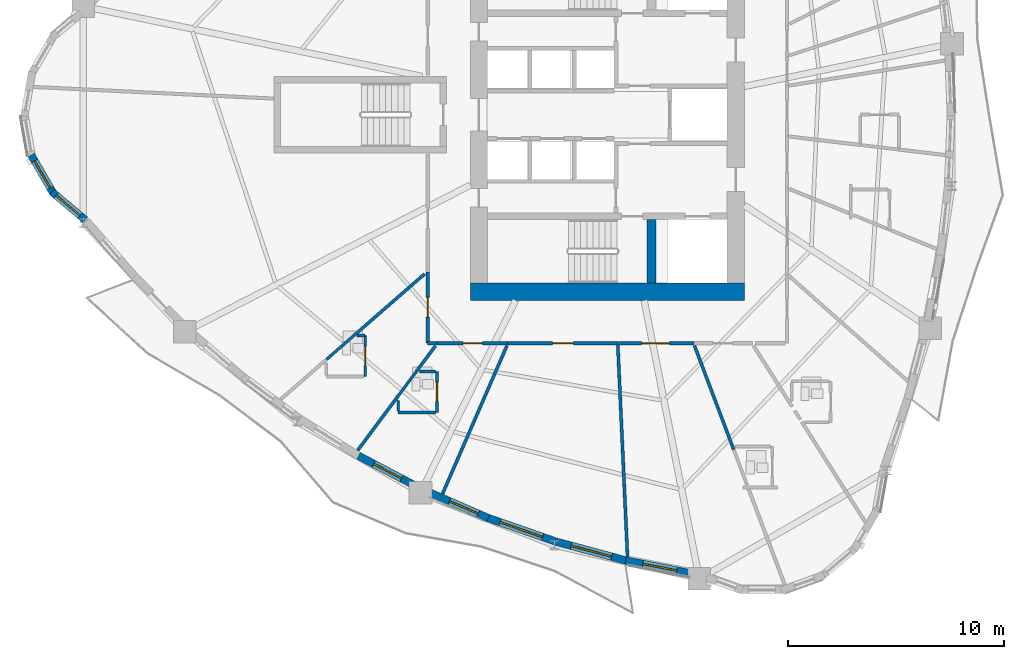
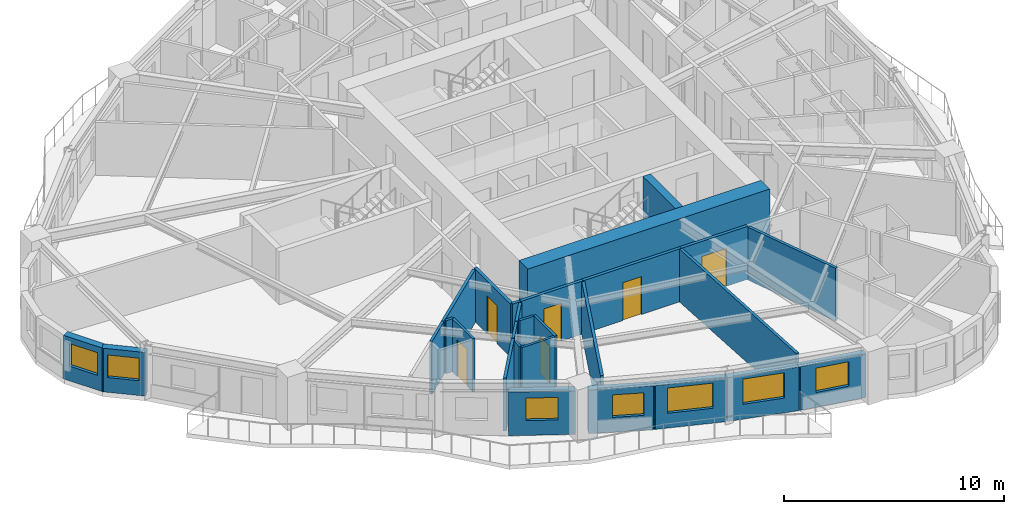
# One storey, part 3 of 14: 28 walls, 7 windows, 6 doors, 13 openings.
"""IFC4 building model written with IfcOpenShell, lengths in metres."""

import ifcopenshell
import ifcopenshell.guid

model = None  # the IFC model being written
_history = None  # IfcOwnerHistory: only IFC2X3 demands one
_inside = {}  # id of a spatial element -> (the spatial element, [elements in it])
_under = {}  # id of a project, library or spatial element -> (it, [spatial elements below it])
_declared = {}  # id of a project -> (the project, [libraries it declares])
_typed = {}  # id of a type object -> (the type object, [elements of that type])
_made_of = {}  # id of a material, layer set ... -> (it, [elements and type objects made of it])


def new_model(schema):
    """Start an empty IFC model of exactly this schema.

    Asked for "IFC4X3", IfcOpenShell would pick the latest addendum, in which some entities
    have other attributes; the version numbers below select the first issue.
    IFC2X3 requires an IfcOwnerHistory on every rooted entity: one is made here for all.
    """
    global model, _history
    if schema == "IFC4X3":
        model = ifcopenshell.file(schema_version=(4, 3, 0, 0))
    else:
        model = ifcopenshell.file(schema=schema)
    _inside.clear()
    _under.clear()
    _declared.clear()
    _typed.clear()
    _made_of.clear()
    _history = None
    if model.schema == "IFC2X3":
        org = make("IfcOrganization", Name="unknown")
        user = make(
            "IfcPersonAndOrganization",
            ThePerson=make("IfcPerson", FamilyName="unknown"),
            TheOrganization=org,
        )
        app = make(
            "IfcApplication",
            ApplicationDeveloper=org,
            Version="unknown",
            ApplicationFullName="unknown",
            ApplicationIdentifier="unknown",
        )
        _history = make(
            "IfcOwnerHistory",
            OwningUser=user,
            OwningApplication=app,
            ChangeAction="ADDED",
            CreationDate=0,
        )
    return model


def make(cls, **values):
    """One entity of the class cls with the attributes given. An attribute that is None is left unset."""
    return model.create_entity(
        cls, **{name: value for name, value in values.items() if value is not None}
    )


def rooted(cls, **values):
    """An entity with a GlobalId (a new one), such as an element, a storey or a relation."""
    return make(cls, GlobalId=ifcopenshell.guid.new(), OwnerHistory=_history, **values)


def si_unit(unit_type, name, prefix=None):
    """IfcSIUnit, for example si_unit("LENGTHUNIT", "METRE", prefix="MILLI")."""
    return make("IfcSIUnit", UnitType=unit_type, Prefix=prefix, Name=name)


def assignment(units):
    """IfcUnitAssignment: the units of a project."""
    return None if units is None else make("IfcUnitAssignment", Units=units)


def point(xyz):
    """IfcCartesianPoint."""
    return None if xyz is None else make("IfcCartesianPoint", Coordinates=xyz)


def direction(xyz):
    """IfcDirection."""
    return None if xyz is None else make("IfcDirection", DirectionRatios=xyz)


def frame(location, z_axis=None, x_axis=None):
    """IfcAxis2Placement3D, a coordinate frame: its origin and axes. An axis left out is left unset."""
    return make(
        "IfcAxis2Placement3D",
        Location=point(location),
        Axis=direction(z_axis),
        RefDirection=direction(x_axis),
    )


def frame_2d(location, x_axis=None):
    """IfcAxis2Placement2D, a coordinate frame in the plane: its origin and x axis."""
    return make(
        "IfcAxis2Placement2D", Location=point(location), RefDirection=direction(x_axis)
    )


def origin():
    """The frame at (0, 0, 0) with its axes left unset."""
    return frame((0.0, 0.0, 0.0))


def place(relative_to, where):
    """IfcLocalPlacement: puts the frame where relative to a parent placement (None: the world)."""
    return make(
        "IfcLocalPlacement", PlacementRelTo=relative_to, RelativePlacement=where
    )


def context(
    kind, dimensions, precision=None, world=None, true_north=None, identifier=None
):
    """IfcGeometricRepresentationContext, for example the 3D "Model" context."""
    return make(
        "IfcGeometricRepresentationContext",
        ContextIdentifier=identifier,
        ContextType=kind,
        CoordinateSpaceDimension=dimensions,
        Precision=precision,
        WorldCoordinateSystem=world,
        TrueNorth=true_north,
    )


def subcontext(parent, identifier, kind, view, scale=None):
    """IfcGeometricRepresentationSubContext, for example "Body" below "Model"."""
    return make(
        "IfcGeometricRepresentationSubContext",
        ContextIdentifier=identifier,
        ContextType=kind,
        ParentContext=parent,
        TargetScale=scale,
        TargetView=view,
    )


def project(units=None, contexts=None):
    """IfcProject with its units and contexts."""
    return rooted(
        "IfcProject",
        Name="project",
        RepresentationContexts=contexts,
        UnitsInContext=assignment(units),
    )


def spatial(cls, under=None, at=None, **own):
    """A site, building, storey or space (cls), placed at a placement, below another one or the project."""
    s = rooted(cls, ObjectPlacement=at, **own)
    if under is not None:
        _under.setdefault(under.id(), (under, []))[1].append(s)
    return s


def profile(cls, at=None, kind="AREA", **sizes):
    """A parametric profile (cls). Its sizes go by their IFC names, for example OverallWidth=200.0."""
    return make(cls, ProfileType=kind, Position=at, **sizes)


def rectangle(**sizes):
    """IfcRectangleProfileDef."""
    return profile("IfcRectangleProfileDef", **sizes)


def extrude(swept, where, along, depth):
    """IfcExtrudedAreaSolid: the profile swept, set in the frame where, extruded along a direction by depth."""
    return make(
        "IfcExtrudedAreaSolid",
        SweptArea=swept,
        Position=where,
        ExtrudedDirection=direction(along),
        Depth=depth,
    )


def shape(context_of_items, identifier, shape_type, items):
    """IfcShapeRepresentation: the items that make up one representation, for example the "Body"."""
    return make(
        "IfcShapeRepresentation",
        ContextOfItems=context_of_items,
        RepresentationIdentifier=identifier,
        RepresentationType=shape_type,
        Items=items,
    )


def source(mapping_origin, context_of_items, identifier, shape_type, items):
    """IfcRepresentationMap: a shape defined once, which mapped items show again and again."""
    return make(
        "IfcRepresentationMap",
        MappingOrigin=mapping_origin,
        MappedRepresentation=shape(context_of_items, identifier, shape_type, items),
    )


def transform(
    local_origin,
    x_axis=None,
    y_axis=None,
    z_axis=None,
    scale=None,
    scale2=None,
    scale3=None,
    uniform=True,
):
    """IfcCartesianTransformationOperator3D, or its non-uniform kind. x_axis, y_axis, z_axis: its Axis1, 2, 3."""
    if uniform:
        return make(
            "IfcCartesianTransformationOperator3D",
            Axis1=direction(x_axis),
            Axis2=direction(y_axis),
            LocalOrigin=point(local_origin),
            Scale=scale,
            Axis3=direction(z_axis),
        )
    return make(
        "IfcCartesianTransformationOperator3DnonUniform",
        Axis1=direction(x_axis),
        Axis2=direction(y_axis),
        LocalOrigin=point(local_origin),
        Scale=scale,
        Axis3=direction(z_axis),
        Scale2=scale2,
        Scale3=scale3,
    )


def mapped(mapping_source, mapping_target):
    """IfcMappedItem: shows the shape of a source again, moved by a transform."""
    return make(
        "IfcMappedItem", MappingSource=mapping_source, MappingTarget=mapping_target
    )


def material(Name=None, Category=None):
    """IfcMaterial."""
    return make("IfcMaterial", Name=Name, Category=Category)


def layer(
    of_material, thickness, ventilated=None, Name=None, Category=None, Priority=None
):
    """IfcMaterialLayer: one layer of a wall or slab, of a material (None: an air gap)."""
    return make(
        "IfcMaterialLayer",
        Material=of_material,
        LayerThickness=thickness,
        IsVentilated=ventilated,
        Name=Name,
        Category=Category,
        Priority=Priority,
    )


def layer_set(layers, Name=None):
    """IfcMaterialLayerSet."""
    return make("IfcMaterialLayerSet", MaterialLayers=layers, LayerSetName=Name)


def made_of(thing, what):
    """Note that an element or type object is made of a material, layer set ...; save() writes the relation."""
    if what is not None:
        _made_of.setdefault(what.id(), (what, []))[1].append(thing)
    return thing


def type_object(cls, material=None, **own):
    """A type object (cls), such as IfcWallType, which elements share."""
    return made_of(rooted(cls, **own), material)


def element(
    cls,
    number,
    at=None,
    inside=None,
    cuts=None,
    type_object=None,
    material=None,
    context=None,
    identifier="Body",
    shape_type=None,
    held_by="IfcProductDefinitionShape",
    body=None,
    shapes=None,
    **own,
):
    """One element of the class cls, such as IfcWall. Its Tag is "e" and its number.

    at: its placement. inside: the storey or other place that contains it. cuts: it is an
    opening in that element (IfcRelVoidsElement). A single representation is given by context,
    identifier, shape_type and body (its items); several are given by shapes. held_by: the class
    of the entity that holds the representations. save() writes the other relations.
    """
    e = rooted(cls, Tag="e%d" % number, ObjectPlacement=at, **own)
    if body is not None:
        shapes = [shape(context, identifier, shape_type, body)]
    if shapes is not None:
        e.Representation = make(held_by, Representations=shapes)
    if inside is not None:
        _inside.setdefault(inside.id(), (inside, []))[1].append(e)
    if cuts is not None:
        rooted(
            "IfcRelVoidsElement", RelatingBuildingElement=cuts, RelatedOpeningElement=e
        )
    if type_object is not None:
        _typed.setdefault(type_object.id(), (type_object, []))[1].append(e)
    return made_of(e, material)


def fill(opening, filler):
    """IfcRelFillsElement: the door or window that sits in an opening."""
    return rooted(
        "IfcRelFillsElement",
        RelatingOpeningElement=opening,
        RelatedBuildingElement=filler,
    )


def aggregate(whole, parts):
    """IfcRelAggregates: a whole, such as a stair, and the parts it consists of."""
    return rooted("IfcRelAggregates", RelatingObject=whole, RelatedObjects=parts)


def save(model, path):
    """Write the relations noted so far, then the file.

    IfcRelAggregates (storeys below a building ...), IfcRelContainedInSpatialStructure (elements
    in a storey), IfcRelDefinesByType, IfcRelAssociatesMaterial and IfcRelDeclares: one each for
    every whole, place, type object, material and project.
    """
    for whole, parts in _under.values():
        aggregate(whole, parts)
    for where, things in _inside.values():
        rooted(
            "IfcRelContainedInSpatialStructure",
            RelatedElements=things,
            RelatingStructure=where,
        )
    for kind, things in _typed.values():
        rooted("IfcRelDefinesByType", RelatedObjects=things, RelatingType=kind)
    for what, things in _made_of.values():
        rooted("IfcRelAssociatesMaterial", RelatedObjects=things, RelatingMaterial=what)
    for by, libraries in _declared.values():
        rooted("IfcRelDeclares", RelatingContext=by, RelatedDefinitions=libraries)
    model.write(path)


model = new_model("IFC4")

# Units and contexts
model_context = context("Model", 3, precision=1e-05, world=origin(), true_north=direction((0.0, 1.0)))
body_context = subcontext(model_context, "Body", "Model", "MODEL_VIEW")
ifc_project = project(units=[si_unit("LENGTHUNIT", "METRE"), si_unit("AREAUNIT", "SQUARE_METRE"), si_unit("VOLUMEUNIT", "CUBIC_METRE"), si_unit("PLANEANGLEUNIT", "RADIAN"), si_unit("MASSUNIT", "GRAM", prefix="KILO")], contexts=[model_context])

# Site, building, storey
site_placement = place(None, origin())
site = spatial("IfcSite", under=ifc_project, at=site_placement, CompositionType="ELEMENT")
building_placement = place(site_placement, origin())
building = spatial("IfcBuilding", under=site, at=building_placement, Name="Qafzar Sky-Pleat Residences", CompositionType="ELEMENT")
storey_placement = place(building_placement, frame((0.0, 0.0, 39.800048828125)))
storey = spatial("IfcBuildingStorey", under=building, at=storey_placement, Name="L11", CompositionType="ELEMENT", Elevation=39.800048828125)

# Wall, opening, door
ifc_material_1 = material(Name="Acoustic gypsum plasterboard partition", Category="gypsum")
ifc_layer_1 = layer(ifc_material_1, 0.159912109375)
ifc_layer_set_1 = layer_set([ifc_layer_1], Name="Acoustic gypsum plasterboard partition")
wall_type_1 = type_object("IfcWallType", Name="PART-COR-160", PredefinedType="PARTITIONING", material=ifc_layer_set_1)
wall_1_placement = place(storey_placement, frame((30.84912109375, 15.419921875, 0.0), z_axis=(0.0, 0.0, 1.0), x_axis=(-1.0, 0.0, 0.0)))
wall_1 = element("IfcWall", 1, at=wall_1_placement, inside=storey, type_object=wall_type_1, Name="L11 Partition Wall PART-L11-PW-002", PredefinedType="PARTITIONING", context=body_context, shape_type="SweptSolid", body=[
    extrude(rectangle(XDim=5.114013671875, YDim=0.159912109375, at=frame_2d((2.55712890625, 0.0))), origin(), (0.0, 0.0, 1.0), 2.93994140625),
])
opening_1_placement = place(wall_1_placement, frame((2.075927734375, 0.0, 0.0)))
opening_1 = element("IfcOpeningElement", 2, at=opening_1_placement, cuts=wall_1, Name="Opening ID-06", PredefinedType="OPENING", context=body_context, shape_type="SweptSolid", body=[
    extrude(rectangle(XDim=0.9599609375, YDim=2.10009765625, at=frame_2d((0.47998046875, 1.050048828125))), frame((0.0, 0.08984375, 0.0), z_axis=(0.0, -1.0, 0.0), x_axis=(1.0, 0.0, 0.0)), (0.0, 0.0, 1.0), 0.179931640625),
])
ifc_material_2 = material(Name="Timber-faced fire door", Category="wood")
door_type_1 = type_object("IfcDoorType", Name="DR-STD-960", OperationType="NOTDEFINED", PredefinedType="DOOR", material=ifc_material_2)
shared_shape_1 = source(origin(), body_context, "Body", "SweptSolid", [
    extrude(rectangle(XDim=0.9599609375, YDim=2.10009765625, at=frame_2d((0.47998046875, 1.050048828125))), frame((0.0, 0.02490234375, 0.0), z_axis=(0.0, -1.0, 0.0), x_axis=(1.0, 0.0, 0.0)), (0.0, 0.0, 1.0), 0.050048828125),
])
door_1_placement = place(opening_1_placement, origin())
door_1 = element("IfcDoor", 3, at=door_1_placement, inside=storey, type_object=door_type_1, Name="L11 Reading Library Door", OperationType="SINGLE_SWING_RIGHT", OverallHeight=2.10009765625, OverallWidth=0.9599609375, PredefinedType="DOOR", context=body_context, shape_type="MappedRepresentation", body=[
    mapped(shared_shape_1, transform((0.0, 0.0, 0.0), x_axis=(1.0, 0.0, 0.0), y_axis=(0.0, 1.0, 0.0), z_axis=(0.0, 0.0, 1.0), scale=1.0)),
])
fill(opening_1, door_1)

wall_2_placement = place(storey_placement, frame((34.361083984375, 15.419921875, 0.0), z_axis=(0.0, 0.0, 1.0), x_axis=(-1.0, 0.0, 0.0)))
wall_2 = element("IfcWall", 4, at=wall_2_placement, inside=storey, type_object=wall_type_1, Name="L11 Partition Wall PART-L11-PW-006", PredefinedType="PARTITIONING", context=body_context, shape_type="SweptSolid", body=[
    extrude(rectangle(XDim=3.4970703125, YDim=0.159912109375, at=frame_2d((1.74853515625, 0.0))), origin(), (0.0, 0.0, 1.0), 2.93994140625),
])
opening_2_placement = place(wall_2_placement, frame((1.12158203125, 0.0, 0.0)))
opening_2 = element("IfcOpeningElement", 5, at=opening_2_placement, cuts=wall_2, Name="Opening ID-05", PredefinedType="OPENING", context=body_context, shape_type="SweptSolid", body=[
    extrude(rectangle(XDim=1.300048828125, YDim=2.10009765625, at=frame_2d((0.64990234375, 1.050048828125))), frame((0.0, 0.08984375, 0.0), z_axis=(0.0, -1.0, 0.0), x_axis=(1.0, 0.0, 0.0)), (0.0, 0.0, 1.0), 0.179931640625),
])
door_type_2 = type_object("IfcDoorType", Name="DR-LNG-1300", OperationType="DOUBLE_DOOR_SINGLE_SWING", PredefinedType="DOOR", material=ifc_material_2)
shared_shape_2 = source(origin(), body_context, "Body", "SweptSolid", [
    extrude(rectangle(XDim=1.300048828125, YDim=2.10009765625, at=frame_2d((0.64990234375, 1.050048828125))), frame((0.0, 0.02490234375, 0.0), z_axis=(0.0, -1.0, 0.0), x_axis=(1.0, 0.0, 0.0)), (0.0, 0.0, 1.0), 0.050048828125),
])
door_2_placement = place(opening_2_placement, origin())
door_2 = element("IfcDoor", 6, at=door_2_placement, inside=storey, type_object=door_type_2, Name="L11 Co-Living Lounge Door", OperationType="DOUBLE_DOOR_SINGLE_SWING", OverallHeight=2.10009765625, OverallWidth=1.300048828125, PredefinedType="DOOR", context=body_context, shape_type="MappedRepresentation", body=[
    mapped(shared_shape_2, transform((0.0, 0.0, 0.0), x_axis=(1.0, 0.0, 0.0), y_axis=(0.0, 1.0, 0.0), z_axis=(0.0, 0.0, 1.0), scale=1.0)),
])
fill(opening_2, door_2)

wall_3_placement = place(storey_placement, frame((22.02001953125, 15.419921875, 0.0), z_axis=(0.0, 0.0, 1.0), x_axis=(0.0, 1.0, 0.0)))
wall_3 = element("IfcWall", 7, at=wall_3_placement, inside=storey, type_object=wall_type_1, Name="L11 Partition Wall PART-L11-PW-008", PredefinedType="PARTITIONING", context=body_context, shape_type="SweptSolid", body=[
    extrude(rectangle(XDim=3.287109375, YDim=0.159912109375, at=frame_2d((1.6435546875, 0.0))), origin(), (0.0, 0.0, 1.0), 2.93994140625),
])
opening_3_placement = place(wall_3_placement, frame((1.200927734375, 0.0, 0.0)))
opening_3 = element("IfcOpeningElement", 8, at=opening_3_placement, cuts=wall_3, Name="Opening ID-04", PredefinedType="OPENING", context=body_context, shape_type="SweptSolid", body=[
    extrude(rectangle(XDim=0.919921875, YDim=2.10009765625, at=frame_2d((0.4599609375, 1.050048828125))), frame((0.0, 0.08984375, 0.0), z_axis=(0.0, -1.0, 0.0), x_axis=(1.0, 0.0, 0.0)), (0.0, 0.0, 1.0), 0.179931640625),
])
door_type_3 = type_object("IfcDoorType", Name="DR-BED-920", OperationType="NOTDEFINED", PredefinedType="DOOR", material=ifc_material_2)
shared_shape_3 = source(origin(), body_context, "Body", "SweptSolid", [
    extrude(rectangle(XDim=0.919921875, YDim=2.10009765625, at=frame_2d((0.4599609375, 1.050048828125))), frame((0.0, 0.02490234375, 0.0), z_axis=(0.0, -1.0, 0.0), x_axis=(1.0, 0.0, 0.0)), (0.0, 0.0, 1.0), 0.050048828125),
])
door_3_placement = place(opening_3_placement, origin())
door_3 = element("IfcDoor", 9, at=door_3_placement, inside=storey, type_object=door_type_3, Name="L11 Co-Living Bedroom 1 Door", OperationType="SINGLE_SWING_RIGHT", OverallHeight=2.10009765625, OverallWidth=0.919921875, PredefinedType="DOOR", context=body_context, shape_type="MappedRepresentation", body=[
    mapped(shared_shape_3, transform((0.0, 0.0, 0.0), x_axis=(1.0, 0.0, 0.0), y_axis=(0.0, 1.0, 0.0), z_axis=(0.0, 0.0, 1.0), scale=1.0)),
])
fill(opening_3, door_3)

wall_4_placement = place(storey_placement, frame((25.719970703125, 15.419921875, 0.0), z_axis=(0.0, 0.0, 1.0), x_axis=(-1.0, 0.0, 0.0)))
wall_4 = element("IfcWall", 10, at=wall_4_placement, inside=storey, type_object=wall_type_1, Name="L11 Partition Wall PART-L11-PW-009", PredefinedType="PARTITIONING", context=body_context, shape_type="SweptSolid", body=[
    extrude(rectangle(XDim=3.257080078125, YDim=0.159912109375, at=frame_2d((1.62841796875, 0.0))), origin(), (0.0, 0.0, 1.0), 2.93994140625),
])
opening_4_placement = place(wall_4_placement, frame((1.14306640625, 0.0, 0.0)))
opening_4 = element("IfcOpeningElement", 11, at=opening_4_placement, cuts=wall_4, Name="Opening ID-04", PredefinedType="OPENING", context=body_context, shape_type="SweptSolid", body=[
    extrude(rectangle(XDim=0.919921875, YDim=2.10009765625, at=frame_2d((0.4599609375, 1.050048828125))), frame((0.0, 0.08984375, 0.0), z_axis=(0.0, -1.0, 0.0), x_axis=(1.0, 0.0, 0.0)), (0.0, 0.0, 1.0), 0.179931640625),
])
door_4_placement = place(opening_4_placement, origin())
door_4 = element("IfcDoor", 12, at=door_4_placement, inside=storey, type_object=door_type_3, Name="L11 Co-Living Bedroom 2 Door", OperationType="SINGLE_SWING_LEFT", OverallHeight=2.10009765625, OverallWidth=0.919921875, PredefinedType="DOOR", context=body_context, shape_type="MappedRepresentation", body=[
    mapped(shared_shape_3, transform((0.0, 0.0, 0.0), x_axis=(1.0, 0.0, 0.0), y_axis=(0.0, 1.0, 0.0), z_axis=(0.0, 0.0, 1.0), scale=1.0)),
])
fill(opening_4, door_4)

# Walls
wall_5_placement = place(storey_placement, frame((22.02001953125, 15.419921875, 0.0), z_axis=(0.0, 0.0, 1.0), x_axis=(1.0, 0.0, 0.0)))
element("IfcWall", 13, at=wall_5_placement, inside=storey, type_object=wall_type_1, Name="L11 Partition Wall PART-L11-PW-112", PredefinedType="PARTITIONING", context=body_context, shape_type="SweptSolid", body=[
    extrude(rectangle(XDim=0.427978515625, YDim=0.159912109375, at=frame_2d((0.2138671875, 0.0))), origin(), (0.0, 0.0, 1.0), 2.93994140625),
])
ifc_layer_2 = layer(ifc_material_1, 0.14501953125)
ifc_layer_set_2 = layer_set([ifc_layer_2], Name="Acoustic gypsum plasterboard partition")
wall_type_2 = type_object("IfcWallType", Name="PART-UNIT-145", PredefinedType="PARTITIONING", material=ifc_layer_set_2)
wall_6_placement = place(storey_placement, frame((30.838134765625, 15.32861328125, 0.0), z_axis=(0.0, 0.0, 1.0), x_axis=(0.045777414824, -0.998951664642, 0.0)))
element("IfcWall", 14, at=wall_6_placement, inside=storey, type_object=wall_type_2, Name="L11 Partition Wall PART-L11-PW-041", PredefinedType="PARTITIONING", context=body_context, shape_type="SweptSolid", body=[
    extrude(rectangle(XDim=9.82373046875, YDim=0.14501953125, at=frame_2d((4.911865234375, 0.0))), origin(), (0.0, 0.0, 1.0), 2.93994140625),
])
wall_7_placement = place(storey_placement, frame((22.71337890625, 8.428955078125, 0.0), z_axis=(0.0, 0.0, 1.0), x_axis=(0.398615352261, 0.917118204454, 0.0)))
element("IfcWall", 15, at=wall_7_placement, inside=storey, type_object=wall_type_2, Name="L11 Partition Wall PART-L11-PW-045", PredefinedType="PARTITIONING", context=body_context, shape_type="SweptSolid", body=[
    extrude(rectangle(XDim=7.49609375, YDim=0.14501953125, at=frame_2d((3.748046875, 0.0))), origin(), (0.0, 0.0, 1.0), 2.93994140625),
])
wall_8_placement = place(storey_placement, frame((34.3876953125, 15.306884765625, 0.0), z_axis=(0.0, 0.0, 1.0), x_axis=(0.353313944469, -0.935504813801, 0.0)))
element("IfcWall", 16, at=wall_8_placement, inside=storey, type_object=wall_type_2, Name="L11 Partition Wall PART-L11-PW-050", PredefinedType="PARTITIONING", context=body_context, shape_type="SweptSolid", body=[
    extrude(rectangle(XDim=5.152099609375, YDim=0.14501953125, at=frame_2d((2.576171875, 0.0))), origin(), (0.0, 0.0, 1.0), 2.93994140625),
])
wall_9_placement = place(storey_placement, frame((18.614013671875, 15.77392578125, 0.0), z_axis=(0.0, 0.0, 1.0), x_axis=(0.753902736672, 0.656986045239, 0.0)))
element("IfcWall", 17, at=wall_9_placement, inside=storey, type_object=wall_type_2, Name="L11 Partition Wall PART-L11-PW-052", PredefinedType="PARTITIONING", context=body_context, shape_type="SweptSolid", body=[
    extrude(rectangle(XDim=4.34033203125, YDim=0.14501953125, at=frame_2d((2.170166015625, 0.0))), origin(), (0.0, 0.0, 1.0), 2.93994140625),
])
wall_10_placement = place(storey_placement, frame((18.782958984375, 10.447021484375, 0.0), z_axis=(0.0, 0.0, 1.0), x_axis=(0.596791765516, 0.80239615441, 0.0)))
element("IfcWall", 18, at=wall_10_placement, inside=storey, type_object=wall_type_2, Name="L11 Partition Wall PART-L11-PW-061", PredefinedType="PARTITIONING", context=body_context, shape_type="SweptSolid", body=[
    extrude(rectangle(XDim=3.17041015625, YDim=0.14501953125, at=frame_2d((1.585205078125, 0.0))), origin(), (0.0, 0.0, 1.0), 2.93994140625),
])
wall_11_placement = place(storey_placement, frame((21.490966796875, 14.087890625, 0.0), z_axis=(0.0, 0.0, 1.0), x_axis=(0.596893728005, 0.802320308523, 0.0)))
element("IfcWall", 19, at=wall_11_placement, inside=storey, type_object=wall_type_2, Name="L11 Partition Wall PART-L11-PW-085", PredefinedType="PARTITIONING", context=body_context, shape_type="SweptSolid", body=[
    extrude(rectangle(XDim=1.49853515625, YDim=0.14501953125, at=frame_2d((0.749267578125, 0.0))), origin(), (0.0, 0.0, 1.0), 2.93994140625),
])

# Wall, opening, door
ifc_material_3 = material(Name="Moisture-resistant gypsum partition", Category="gypsum")
ifc_layer_3 = layer(ifc_material_3, 0.1298828125)
ifc_layer_set_3 = layer_set([ifc_layer_3], Name="Moisture-resistant gypsum partition")
wall_type_3 = type_object("IfcWallType", Name="PART-WET-130", PredefinedType="PARTITIONING", material=ifc_layer_set_3)
wall_12_placement = place(storey_placement, frame((22.4599609375, 12.202880859375, 0.0), z_axis=(0.0, 0.0, 1.0), x_axis=(0.0, 1.0, 0.0)))
wall_12 = element("IfcWall", 20, at=wall_12_placement, inside=storey, type_object=wall_type_3, Name="L11 Partition Wall PART-L11-PW-021", PredefinedType="PARTITIONING", context=body_context, shape_type="SweptSolid", body=[
    extrude(rectangle(XDim=1.900146484375, YDim=0.1298828125, at=frame_2d((0.9501953125, 0.0))), origin(), (0.0, 0.0, 1.0), 2.93994140625),
])
opening_5_placement = place(wall_12_placement, frame((0.510009765625, 0.0, 0.0)))
opening_5 = element("IfcOpeningElement", 21, at=opening_5_placement, cuts=wall_12, Name="Opening ID-07", PredefinedType="OPENING", context=body_context, shape_type="SweptSolid", body=[
    extrude(rectangle(XDim=0.8798828125, YDim=2.050048828125, at=frame_2d((0.43994140625, 1.02490234375))), frame((0.0, 0.074951171875, 0.0), z_axis=(0.0, -1.0, 0.0), x_axis=(1.0, 0.0, 0.0)), (0.0, 0.0, 1.0), 0.14990234375),
])
door_type_4 = type_object("IfcDoorType", Name="DR-WET-880", OperationType="NOTDEFINED", PredefinedType="DOOR", material=ifc_material_2)
shared_shape_4 = source(origin(), body_context, "Body", "SweptSolid", [
    extrude(rectangle(XDim=0.8798828125, YDim=2.050048828125, at=frame_2d((0.43994140625, 1.02490234375))), frame((0.0, 0.02490234375, 0.0), z_axis=(0.0, -1.0, 0.0), x_axis=(1.0, 0.0, 0.0)), (0.0, 0.0, 1.0), 0.050048828125),
])
door_5_placement = place(opening_5_placement, origin())
door_5 = element("IfcDoor", 22, at=door_5_placement, inside=storey, type_object=door_type_4, Name="L11 En-suite Bathroom 2 Door", OperationType="SINGLE_SWING_RIGHT", OverallHeight=2.050048828125, OverallWidth=0.8798828125, PredefinedType="DOOR", context=body_context, shape_type="MappedRepresentation", body=[
    mapped(shared_shape_4, transform((0.0, 0.0, 0.0), x_axis=(1.0, 0.0, 0.0), y_axis=(0.0, 1.0, 0.0), z_axis=(0.0, 0.0, 1.0), scale=1.0)),
])
fill(opening_5, door_5)

wall_13_placement = place(storey_placement, frame((19.1298828125, 13.8740234375, 0.0), z_axis=(0.0, 0.0, 1.0), x_axis=(0.0, 1.0, 0.0)))
wall_13 = element("IfcWall", 23, at=wall_13_placement, inside=storey, type_object=wall_type_3, Name="L11 Partition Wall PART-L11-PW-024", PredefinedType="PARTITIONING", context=body_context, shape_type="SweptSolid", body=[
    extrude(rectangle(XDim=1.89990234375, YDim=0.1298828125, at=frame_2d((0.949951171875, 0.0))), origin(), (0.0, 0.0, 1.0), 2.93994140625),
])
opening_6_placement = place(wall_13_placement, frame((0.510009765625, 0.0, 0.0)))
opening_6 = element("IfcOpeningElement", 24, at=opening_6_placement, cuts=wall_13, Name="Opening ID-07", PredefinedType="OPENING", context=body_context, shape_type="SweptSolid", body=[
    extrude(rectangle(XDim=0.8798828125, YDim=2.050048828125, at=frame_2d((0.43994140625, 1.02490234375))), frame((0.0, 0.074951171875, 0.0), z_axis=(0.0, -1.0, 0.0), x_axis=(1.0, 0.0, 0.0)), (0.0, 0.0, 1.0), 0.14990234375),
])
door_6_placement = place(opening_6_placement, origin())
door_6 = element("IfcDoor", 25, at=door_6_placement, inside=storey, type_object=door_type_4, Name="L11 En-suite Bathroom 1 Door", OperationType="SINGLE_SWING_LEFT", OverallHeight=2.050048828125, OverallWidth=0.8798828125, PredefinedType="DOOR", context=body_context, shape_type="MappedRepresentation", body=[
    mapped(shared_shape_4, transform((0.0, 0.0, 0.0), x_axis=(1.0, 0.0, 0.0), y_axis=(0.0, 1.0, 0.0), z_axis=(0.0, 0.0, 1.0), scale=1.0)),
])
fill(opening_6, door_6)

# Walls
wall_14_placement = place(storey_placement, frame((20.659912109375, 12.202880859375, 0.0), z_axis=(0.0, 0.0, 1.0), x_axis=(1.0, 0.0, 0.0)))
element("IfcWall", 26, at=wall_14_placement, inside=storey, type_object=wall_type_3, Name="L11 Partition Wall PART-L11-PW-078", PredefinedType="PARTITIONING", context=body_context, shape_type="SweptSolid", body=[
    extrude(rectangle(XDim=1.72705078125, YDim=0.1298828125, at=frame_2d((0.863525390625, 0.0))), origin(), (0.0, 0.0, 1.0), 2.93994140625),
])
wall_15_placement = place(storey_placement, frame((17.34130859375, 14.664794921875, 0.0), z_axis=(0.0, 0.0, 1.0), x_axis=(0.753885757535, 0.657005528581, 0.0)))
element("IfcWall", 27, at=wall_15_placement, inside=storey, type_object=wall_type_3, Name="L11 Partition Wall PART-L11-PW-083", PredefinedType="PARTITIONING", context=body_context, shape_type="SweptSolid", body=[
    extrude(rectangle(XDim=1.67333984375, YDim=0.1298828125, at=frame_2d((0.836669921875, 0.0))), origin(), (0.0, 0.0, 1.0), 2.93994140625),
])
wall_16_placement = place(storey_placement, frame((20.68408203125, 13.002685546875, 0.0), z_axis=(0.0, 0.0, 1.0), x_axis=(0.596518903615, 0.802599026681, 0.0)))
element("IfcWall", 28, at=wall_16_placement, inside=storey, type_object=wall_type_3, Name="L11 Partition Wall PART-L11-PW-091", PredefinedType="PARTITIONING", context=body_context, shape_type="SweptSolid", body=[
    extrude(rectangle(XDim=1.33740234375, YDim=0.1298828125, at=frame_2d((0.668701171875, 0.0))), origin(), (0.0, 0.0, 1.0), 2.93994140625),
])
wall_17_placement = place(storey_placement, frame((21.648681640625, 14.10302734375, 0.0), z_axis=(0.0, 0.0, 1.0), x_axis=(1.0, 0.0, 0.0)))
element("IfcWall", 29, at=wall_17_placement, inside=storey, type_object=wall_type_3, Name="L11 Partition Wall PART-L11-PW-102", PredefinedType="PARTITIONING", context=body_context, shape_type="SweptSolid", body=[
    extrude(rectangle(XDim=0.73828125, YDim=0.1298828125, at=frame_2d((0.369140625, 0.0))), origin(), (0.0, 0.0, 1.0), 2.93994140625),
])
wall_18_placement = place(storey_placement, frame((20.659912109375, 12.27587890625, 0.0), z_axis=(0.0, 0.0, 1.0), x_axis=(0.0, 1.0, 0.0)))
element("IfcWall", 30, at=wall_18_placement, inside=storey, type_object=wall_type_3, Name="L11 Partition Wall PART-L11-PW-107", PredefinedType="PARTITIONING", context=body_context, shape_type="SweptSolid", body=[
    extrude(rectangle(XDim=0.478271484375, YDim=0.1298828125, at=frame_2d((0.2392578125, 0.0))), origin(), (0.0, 0.0, 1.0), 2.93994140625),
])
wall_19_placement = place(storey_placement, frame((18.7490234375, 15.77392578125, 0.0), z_axis=(0.0, 0.0, 1.0), x_axis=(1.0, 0.0, 0.0)))
element("IfcWall", 31, at=wall_19_placement, inside=storey, type_object=wall_type_3, Name="L11 Partition Wall PART-L11-PW-109", PredefinedType="PARTITIONING", context=body_context, shape_type="SweptSolid", body=[
    extrude(rectangle(XDim=0.380859375, YDim=0.1298828125, at=frame_2d((0.1904296875, 0.0))), origin(), (0.0, 0.0, 1.0), 2.93994140625),
])

# Wall, opening, window
ifc_material_4 = material(Name="Precast concrete C40/50 with honed Riyadh limestone", Category="concrete")
ifc_layer_4 = layer(ifc_material_4, 0.35009765625)
ifc_layer_set_4 = layer_set([ifc_layer_4], Name="Precast concrete C40/50 with honed Riyadh limestone")
wall_type_4 = type_object("IfcWallType", Name="WALL-EXT-350", PredefinedType="SOLIDWALL", material=ifc_layer_set_4)
wall_20_placement = place(storey_placement, frame((3.6474609375, 24.13671875, 0.0), z_axis=(0.0, 0.0, 1.0), x_axis=(0.49990781971, -0.866078617559, 0.0)))
wall_20 = element("IfcWall", 32, at=wall_20_placement, inside=storey, type_object=wall_type_4, Name="L11 Limestone Facade Wall 5", PredefinedType="SOLIDWALL", context=body_context, shape_type="SweptSolid", body=[
    extrude(rectangle(XDim=2.09033203125, YDim=0.35009765625, at=frame_2d((1.045166015625, 0.0))), origin(), (0.0, 0.0, 1.0), 2.419921875),
])
opening_7_placement = place(wall_20_placement, frame((0.3203125, 0.0, 0.820068359375)))
opening_7 = element("IfcOpeningElement", 33, at=opening_7_placement, cuts=wall_20, Name="Opening WN-15", PredefinedType="OPENING", context=body_context, shape_type="SweptSolid", body=[
    extrude(rectangle(XDim=1.449951171875, YDim=1.25, at=frame_2d((0.72509765625, 0.625))), frame((0.0, 0.18505859375, 0.0), z_axis=(0.0, -1.0, 0.0), x_axis=(1.0, 0.0, 0.0)), (0.0, 0.0, 1.0), 0.3701171875),
])
ifc_material_5 = material(Name="Solar-control low-E glass in bronze aluminium frame", Category="glass")
window_type_1 = type_object("IfcWindowType", Name="WIN-15", PartitioningType="SINGLE_PANEL", PredefinedType="WINDOW", material=ifc_material_5)
shared_shape_5 = source(origin(), body_context, "Body", "SweptSolid", [
    extrude(rectangle(XDim=1.449951171875, YDim=1.25, at=frame_2d((0.72509765625, 0.625))), frame((0.0, 0.030029296875, 0.0), z_axis=(0.0, -1.0, 0.0), x_axis=(1.0, 0.0, 0.0)), (0.0, 0.0, 1.0), 0.06005859375),
])
window_1_placement = place(opening_7_placement, origin())
window_1 = element("IfcWindow", 34, at=window_1_placement, inside=storey, type_object=window_type_1, Name="L11 Punched Facade Window 05", OverallHeight=1.25, OverallWidth=1.449951171875, PartitioningType="SINGLE_PANEL", PredefinedType="WINDOW", context=body_context, shape_type="MappedRepresentation", body=[
    mapped(shared_shape_5, transform((0.0, 0.0, 0.0), x_axis=(1.0, 0.0, 0.0), y_axis=(0.0, 1.0, 0.0), z_axis=(0.0, 0.0, 1.0), scale=1.0)),
])
fill(opening_7, window_1)

wall_21_placement = place(storey_placement, frame((4.605224609375, 22.430419921875, 0.0), z_axis=(0.0, 0.0, 1.0), x_axis=(0.766040796373, -0.642791955684, 0.0)))
wall_21 = element("IfcWall", 35, at=wall_21_placement, inside=storey, type_object=wall_type_4, Name="L11 Limestone Facade Wall 6", PredefinedType="SOLIDWALL", context=body_context, shape_type="SweptSolid", body=[
    extrude(rectangle(XDim=2.032470703125, YDim=0.35009765625, at=frame_2d((1.01611328125, 0.0))), origin(), (0.0, 0.0, 1.0), 2.419921875),
])
opening_8_placement = place(wall_21_placement, frame((0.26123046875, 0.0, 0.820068359375)))
opening_8 = element("IfcOpeningElement", 36, at=opening_8_placement, cuts=wall_21, Name="Opening WN-15", PredefinedType="OPENING", context=body_context, shape_type="SweptSolid", body=[
    extrude(rectangle(XDim=1.449951171875, YDim=1.25, at=frame_2d((0.72509765625, 0.625))), frame((0.0, 0.18505859375, 0.0), z_axis=(0.0, -1.0, 0.0), x_axis=(1.0, 0.0, 0.0)), (0.0, 0.0, 1.0), 0.3701171875),
])
window_2_placement = place(opening_8_placement, origin())
window_2 = element("IfcWindow", 37, at=window_2_placement, inside=storey, type_object=window_type_1, Name="L11 Punched Facade Window 06", OverallHeight=1.25, OverallWidth=1.449951171875, PartitioningType="SINGLE_PANEL", PredefinedType="WINDOW", context=body_context, shape_type="MappedRepresentation", body=[
    mapped(shared_shape_5, transform((0.0, 0.0, 0.0), x_axis=(1.0, 0.0, 0.0), y_axis=(0.0, 1.0, 0.0), z_axis=(0.0, 0.0, 1.0), scale=1.0)),
])
fill(opening_8, window_2)

wall_22_placement = place(storey_placement, frame((18.8232421875, 10.194580078125, 0.0), z_axis=(0.0, 0.0, 1.0), x_axis=(0.884422538795, -0.466687018108, 0.0)))
wall_22 = element("IfcWall", 38, at=wall_22_placement, inside=storey, type_object=wall_type_4, Name="L11 Limestone Facade Wall 12", PredefinedType="SOLIDWALL", context=body_context, shape_type="SweptSolid", body=[
    extrude(rectangle(XDim=3.037353515625, YDim=0.35009765625, at=frame_2d((1.5185546875, 0.0))), origin(), (0.0, 0.0, 1.0), 2.419921875),
])
opening_9_placement = place(wall_22_placement, frame((0.798583984375, 0.0, 0.820068359375)))
opening_9 = element("IfcOpeningElement", 39, at=opening_9_placement, cuts=wall_22, Name="Opening WN-15", PredefinedType="OPENING", context=body_context, shape_type="SweptSolid", body=[
    extrude(rectangle(XDim=1.449951171875, YDim=1.25, at=frame_2d((0.72509765625, 0.625))), frame((0.0, 0.18505859375, 0.0), z_axis=(0.0, -1.0, 0.0), x_axis=(1.0, 0.0, 0.0)), (0.0, 0.0, 1.0), 0.3701171875),
])
window_3_placement = place(opening_9_placement, origin())
window_3 = element("IfcWindow", 40, at=window_3_placement, inside=storey, type_object=window_type_1, Name="L11 Punched Facade Window 12", OverallHeight=1.25, OverallWidth=1.449951171875, PartitioningType="SINGLE_PANEL", PredefinedType="WINDOW", context=body_context, shape_type="MappedRepresentation", body=[
    mapped(shared_shape_5, transform((0.0, 0.0, 0.0), x_axis=(1.0, 0.0, 0.0), y_axis=(0.0, 1.0, 0.0), z_axis=(0.0, 0.0, 1.0), scale=1.0)),
])
fill(opening_9, window_3)

wall_23_placement = place(storey_placement, frame((22.0380859375, 8.523193359375, 0.0), z_axis=(0.0, 0.0, 1.0), x_axis=(0.91704973522, -0.398772846535, 0.0)))
wall_23 = element("IfcWall", 41, at=wall_23_placement, inside=storey, type_object=wall_type_4, Name="L11 Limestone Facade Wall 13", PredefinedType="SOLIDWALL", context=body_context, shape_type="SweptSolid", body=[
    extrude(rectangle(XDim=3.05615234375, YDim=0.35009765625, at=frame_2d((1.528076171875, 0.0))), origin(), (0.0, 0.0, 1.0), 2.419921875),
])
opening_10_placement = place(wall_23_placement, frame((1.091796875, 0.0, 0.820068359375)))
opening_10 = element("IfcOpeningElement", 42, at=opening_10_placement, cuts=wall_23, Name="Opening WN-15", PredefinedType="OPENING", context=body_context, shape_type="SweptSolid", body=[
    extrude(rectangle(XDim=1.449951171875, YDim=1.25, at=frame_2d((0.72509765625, 0.625))), frame((0.0, 0.18505859375, 0.0), z_axis=(0.0, -1.0, 0.0), x_axis=(1.0, 0.0, 0.0)), (0.0, 0.0, 1.0), 0.3701171875),
])
window_4_placement = place(opening_10_placement, origin())
window_4 = element("IfcWindow", 43, at=window_4_placement, inside=storey, type_object=window_type_1, Name="L11 Punched Facade Window 13-2", OverallHeight=1.25, OverallWidth=1.449951171875, PartitioningType="SINGLE_PANEL", PredefinedType="WINDOW", context=body_context, shape_type="MappedRepresentation", body=[
    mapped(shared_shape_5, transform((0.0, 0.0, 0.0), x_axis=(1.0, 0.0, 0.0), y_axis=(0.0, 1.0, 0.0), z_axis=(0.0, 0.0, 1.0), scale=1.0)),
])
fill(opening_10, window_4)

wall_24_placement = place(storey_placement, frame((24.758056640625, 7.3369140625, 0.0), z_axis=(0.0, 0.0, 1.0), x_axis=(0.944146789085, -0.329525174547, 0.0)))
wall_24 = element("IfcWall", 44, at=wall_24_placement, inside=storey, type_object=wall_type_4, Name="L11 Limestone Facade Wall 14", PredefinedType="SOLIDWALL", context=body_context, shape_type="SweptSolid", body=[
    extrude(rectangle(XDim=3.3740234375, YDim=0.35009765625, at=frame_2d((1.68701171875, 0.0))), origin(), (0.0, 0.0, 1.0), 2.419921875),
])
opening_11_placement = place(wall_24_placement, frame((0.64697265625, 0.0, 0.820068359375)))
opening_11 = element("IfcOpeningElement", 45, at=opening_11_placement, cuts=wall_24, Name="Opening WN-07", PredefinedType="OPENING", context=body_context, shape_type="SweptSolid", body=[
    extrude(rectangle(XDim=2.10009765625, YDim=1.39990234375, at=frame_2d((1.050048828125, 0.699951171875))), frame((0.0, 0.18505859375, 0.0), z_axis=(0.0, -1.0, 0.0), x_axis=(1.0, 0.0, 0.0)), (0.0, 0.0, 1.0), 0.3701171875),
])
window_type_2 = type_object("IfcWindowType", Name="WIN-07", PartitioningType="DOUBLE_PANEL_VERTICAL", PredefinedType="WINDOW", material=ifc_material_5)
shared_shape_6 = source(origin(), body_context, "Body", "SweptSolid", [
    extrude(rectangle(XDim=2.10009765625, YDim=1.39990234375, at=frame_2d((1.050048828125, 0.699951171875))), frame((0.0, 0.030029296875, 0.0), z_axis=(0.0, -1.0, 0.0), x_axis=(1.0, 0.0, 0.0)), (0.0, 0.0, 1.0), 0.06005859375),
])
window_5_placement = place(opening_11_placement, origin())
window_5 = element("IfcWindow", 46, at=window_5_placement, inside=storey, type_object=window_type_2, Name="L11 Punched Facade Window 14", OverallHeight=1.39990234375, OverallWidth=2.10009765625, PartitioningType="SINGLE_PANEL", PredefinedType="WINDOW", context=body_context, shape_type="MappedRepresentation", body=[
    mapped(shared_shape_6, transform((0.0, 0.0, 0.0), x_axis=(1.0, 0.0, 0.0), y_axis=(0.0, 1.0, 0.0), z_axis=(0.0, 0.0, 1.0), scale=1.0)),
])
fill(opening_11, window_5)

wall_25_placement = place(storey_placement, frame((27.969482421875, 6.216796875, 0.0), z_axis=(0.0, 0.0, 1.0), x_axis=(0.965465079887, -0.26053249225, 0.0)))
wall_25 = element("IfcWall", 47, at=wall_25_placement, inside=storey, type_object=wall_type_4, Name="L11 Limestone Facade Wall 15", PredefinedType="SOLIDWALL", context=body_context, shape_type="SweptSolid", body=[
    extrude(rectangle(XDim=3.4296875, YDim=0.35009765625, at=frame_2d((1.71484375, 0.0))), origin(), (0.0, 0.0, 1.0), 2.419921875),
])
opening_12_placement = place(wall_25_placement, frame((0.729736328125, 0.0, 0.820068359375)))
opening_12 = element("IfcOpeningElement", 48, at=opening_12_placement, cuts=wall_25, Name="Opening WN-08", PredefinedType="OPENING", context=body_context, shape_type="SweptSolid", body=[
    extrude(rectangle(XDim=1.949951171875, YDim=1.39990234375, at=frame_2d((0.97509765625, 0.699951171875))), frame((0.0, 0.18505859375, 0.0), z_axis=(0.0, -1.0, 0.0), x_axis=(1.0, 0.0, 0.0)), (0.0, 0.0, 1.0), 0.3701171875),
])
window_type_3 = type_object("IfcWindowType", Name="WIN-08", PartitioningType="DOUBLE_PANEL_VERTICAL", PredefinedType="WINDOW", material=ifc_material_5)
shared_shape_7 = source(origin(), body_context, "Body", "SweptSolid", [
    extrude(rectangle(XDim=1.949951171875, YDim=1.39990234375, at=frame_2d((0.97509765625, 0.699951171875))), frame((0.0, 0.030029296875, 0.0), z_axis=(0.0, -1.0, 0.0), x_axis=(1.0, 0.0, 0.0)), (0.0, 0.0, 1.0), 0.06005859375),
])
window_6_placement = place(opening_12_placement, origin())
window_6 = element("IfcWindow", 49, at=window_6_placement, inside=storey, type_object=window_type_3, Name="L11 Punched Facade Window 15", OverallHeight=1.39990234375, OverallWidth=1.949951171875, PartitioningType="SINGLE_PANEL", PredefinedType="WINDOW", context=body_context, shape_type="MappedRepresentation", body=[
    mapped(shared_shape_7, transform((0.0, 0.0, 0.0), x_axis=(1.0, 0.0, 0.0), y_axis=(0.0, 1.0, 0.0), z_axis=(0.0, 0.0, 1.0), scale=1.0)),
])
fill(opening_12, window_6)

wall_26_placement = place(storey_placement, frame((31.195068359375, 5.34326171875, 0.0), z_axis=(0.0, 0.0, 1.0), x_axis=(0.981233720322, -0.192822161858, 0.0)))
wall_26 = element("IfcWall", 50, at=wall_26_placement, inside=storey, type_object=wall_type_4, Name="L11 Limestone Facade Wall 16", PredefinedType="SOLIDWALL", context=body_context, shape_type="SweptSolid", body=[
    extrude(rectangle(XDim=3.222412109375, YDim=0.35009765625, at=frame_2d((1.611328125, 0.0))), origin(), (0.0, 0.0, 1.0), 2.419921875),
])
opening_13_placement = place(wall_26_placement, frame((0.816162109375, 0.0, 0.820068359375)))
opening_13 = element("IfcOpeningElement", 51, at=opening_13_placement, cuts=wall_26, Name="Opening WN-09", PredefinedType="OPENING", context=body_context, shape_type="SweptSolid", body=[
    extrude(rectangle(XDim=1.60009765625, YDim=1.35009765625, at=frame_2d((0.800048828125, 0.675048828125))), frame((0.0, 0.18505859375, 0.0), z_axis=(0.0, -1.0, 0.0), x_axis=(1.0, 0.0, 0.0)), (0.0, 0.0, 1.0), 0.3701171875),
])
window_type_4 = type_object("IfcWindowType", Name="WIN-09", PartitioningType="DOUBLE_PANEL_VERTICAL", PredefinedType="WINDOW", material=ifc_material_5)
shared_shape_8 = source(origin(), body_context, "Body", "SweptSolid", [
    extrude(rectangle(XDim=1.60009765625, YDim=1.35009765625, at=frame_2d((0.800048828125, 0.675048828125))), frame((0.0, 0.030029296875, 0.0), z_axis=(0.0, -1.0, 0.0), x_axis=(1.0, 0.0, 0.0)), (0.0, 0.0, 1.0), 0.06005859375),
])
window_7_placement = place(opening_13_placement, origin())
window_7 = element("IfcWindow", 52, at=window_7_placement, inside=storey, type_object=window_type_4, Name="L11 Punched Facade Window 16", OverallHeight=1.35009765625, OverallWidth=1.60009765625, PartitioningType="SINGLE_PANEL", PredefinedType="WINDOW", context=body_context, shape_type="MappedRepresentation", body=[
    mapped(shared_shape_8, transform((0.0, 0.0, 0.0), x_axis=(1.0, 0.0, 0.0), y_axis=(0.0, 1.0, 0.0), z_axis=(0.0, 0.0, 1.0), scale=1.0)),
])
fill(opening_13, window_7)

# Walls
ifc_material_6 = material(Name="Concrete C60/75", Category="concrete")
ifc_layer_5 = layer(ifc_material_6, 0.39990234375)
ifc_layer_set_5 = layer_set([ifc_layer_5], Name="Concrete C60/75")
wall_type_5 = type_object("IfcWallType", Name="WALL-SHEAR-400", PredefinedType="SHEAR", material=ifc_layer_set_5)
wall_27_placement = place(storey_placement, frame((32.39990234375, 18.199951171875, 0.0), z_axis=(0.0, 0.0, 1.0), x_axis=(0.0, 1.0, 0.0)))
element("IfcWall", 53, at=wall_27_placement, inside=storey, type_object=wall_type_5, Name="L11 Stair ST1 East Dividing Wall", PredefinedType="SHEAR", context=body_context, shape_type="SweptSolid", body=[
    extrude(rectangle(XDim=2.949951171875, YDim=0.39990234375, at=frame_2d((1.47509765625, 0.0))), origin(), (0.0, 0.0, 1.0), 2.93994140625),
])
ifc_layer_6 = layer(ifc_material_6, 0.800048828125)
ifc_layer_set_6 = layer_set([ifc_layer_6], Name="Concrete C60/75")
wall_type_6 = type_object("IfcWallType", Name="WALL-SHEAR-800", PredefinedType="SHEAR", material=ifc_layer_set_6)
wall_28_placement = place(storey_placement, frame((24.0, 17.800048828125, 0.0), z_axis=(0.0, 0.0, 1.0), x_axis=(1.0, 0.0, 0.0)))
element("IfcWall", 54, at=wall_28_placement, inside=storey, type_object=wall_type_6, Name="L11 CORE wall S", PredefinedType="SHEAR", context=body_context, shape_type="SweptSolid", body=[
    extrude(rectangle(XDim=12.699951171875, YDim=0.800048828125, at=frame_2d((6.35009765625, 0.0))), origin(), (0.0, 0.0, 1.0), 2.93994140625),
])

save(model, "model.ifc")
